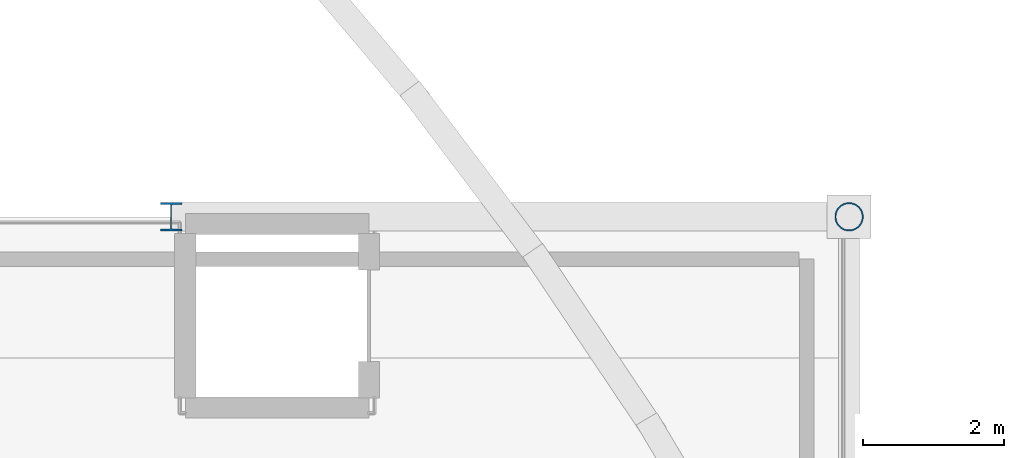
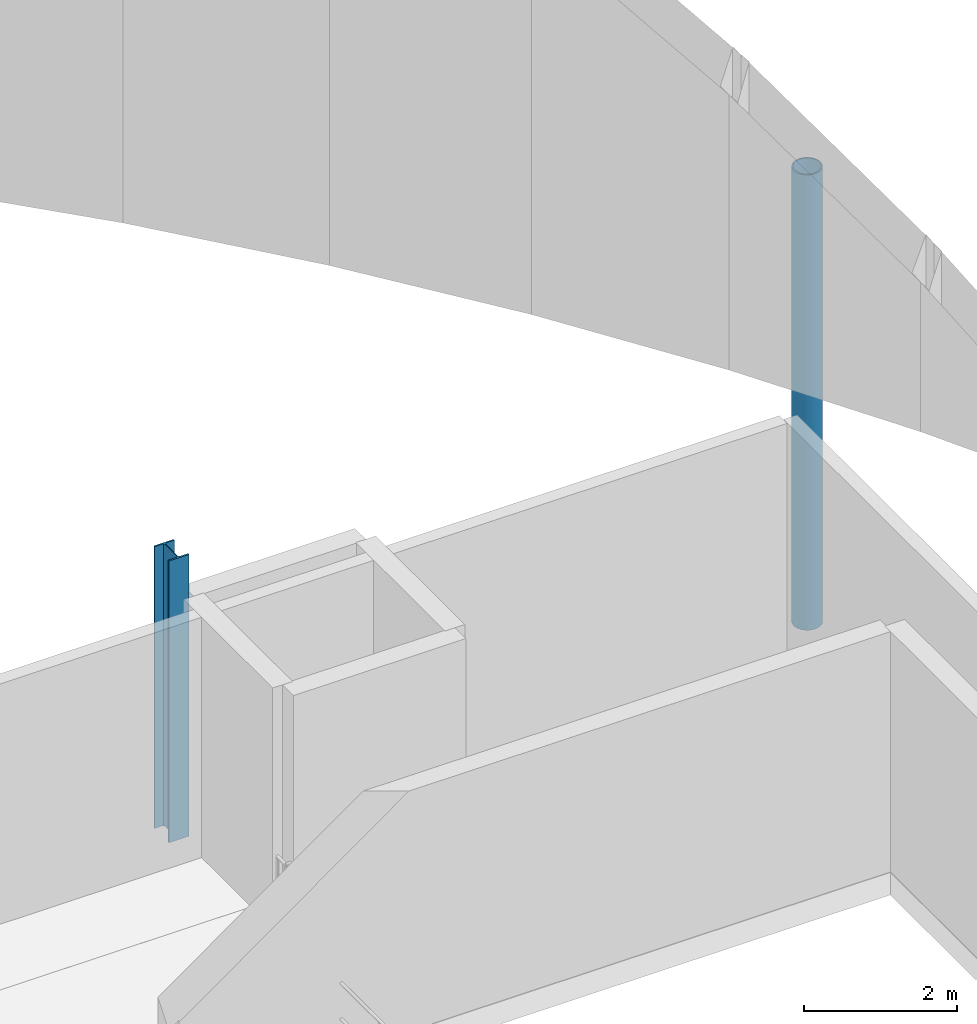
# One storey, part 24 of 193: 2 columns.
"""IFC4 building model written with IfcOpenShell, lengths in metres."""

from ifc_helpers import new_model, si_unit, direction, frame, origin, origin_2d, place, context, subcontext, project, spatial, hollow_circle, i_section, extrude, material, material_profile, profile_set, type_object, element, save


model = new_model("IFC4")

# Units and contexts
model_context = context("Model", 3, precision=1e-05, world=origin(), true_north=direction((0.0, 1.0)))
body_context = subcontext(model_context, "Body", "Model", "MODEL_VIEW")
ifc_project = project(units=[si_unit("LENGTHUNIT", "METRE"), si_unit("AREAUNIT", "SQUARE_METRE"), si_unit("VOLUMEUNIT", "CUBIC_METRE"), si_unit("PLANEANGLEUNIT", "RADIAN"), si_unit("MASSUNIT", "GRAM", prefix="KILO")], contexts=[model_context])

# Site, building, storey
site_placement = place(None, origin())
site = spatial("IfcSite", under=ifc_project, at=site_placement, CompositionType="ELEMENT")
building_placement = place(site_placement, origin())
building = spatial("IfcBuilding", under=site, at=building_placement, Name="Danafjord Basin Convention Centre", CompositionType="ELEMENT")
storey_placement = place(building_placement, frame((0.0, 0.0, 11.39990234375)))
storey = spatial("IfcBuildingStorey", under=building, at=storey_placement, Name="L02", CompositionType="ELEMENT", Elevation=11.39990234375)

# Columns
ifc_material = material(Name="Steel S355", Category="steel")
ifc_material_profile_1 = material_profile(ifc_material, hollow_circle(Radius=0.203125, WallThickness=0.02001953125, at=origin_2d()), Name="CHS 406.4x20.0")
ifc_profile_set_1 = profile_set([ifc_material_profile_1], Name="Steel S355")
column_type_1 = type_object("IfcColumnType", Name="COL-C-CHS406", PredefinedType="COLUMN", material=ifc_profile_set_1)
column_1_placement = place(storey_placement, frame((201.60009765625, 128.0, 0.0), z_axis=(0.0, 0.0, 1.0), x_axis=(1.0, 0.0, 0.0)))
element("IfcColumn", 1, at=column_1_placement, inside=storey, type_object=column_type_1, Name="L02 column C-CHS406 at (201.6, 128.0)", PredefinedType="COLUMN", context=body_context, shape_type="SweptSolid", body=[
    extrude(hollow_circle(Radius=0.203125, WallThickness=0.02001953125, at=origin_2d()), origin(), (0.0, 0.0, 1.0), 7.27001953125),
])
ifc_material_profile_2 = material_profile(ifc_material, i_section(OverallWidth=0.300048828125, OverallDepth=0.39990234375, WebThickness=0.013427734375, FlangeThickness=0.02392578125, FilletRadius=0.027099609375, at=origin_2d()), Name="HEB 400")
ifc_profile_set_2 = profile_set([ifc_material_profile_2], Name="Steel S355")
column_type_2 = type_object("IfcColumnType", Name="COL-C-HEB400", PredefinedType="COLUMN", material=ifc_profile_set_2)
column_2_placement = place(storey_placement, frame((192.0, 128.0, 0.0), z_axis=(0.0, 0.0, 1.0), x_axis=(1.0, 0.0, 0.0)))
element("IfcColumn", 2, at=column_2_placement, inside=storey, type_object=column_type_2, Name="L02 column C-HEB400 at (192.0, 128.0)", PredefinedType="COLUMN", context=body_context, shape_type="SweptSolid", body=[
    extrude(i_section(OverallWidth=0.300048828125, OverallDepth=0.39990234375, WebThickness=0.013427734375, FlangeThickness=0.02392578125, FilletRadius=0.027099609375, at=origin_2d()), origin(), (0.0, 0.0, 1.0), 4.5),
])

save(model, "model.ifc")
